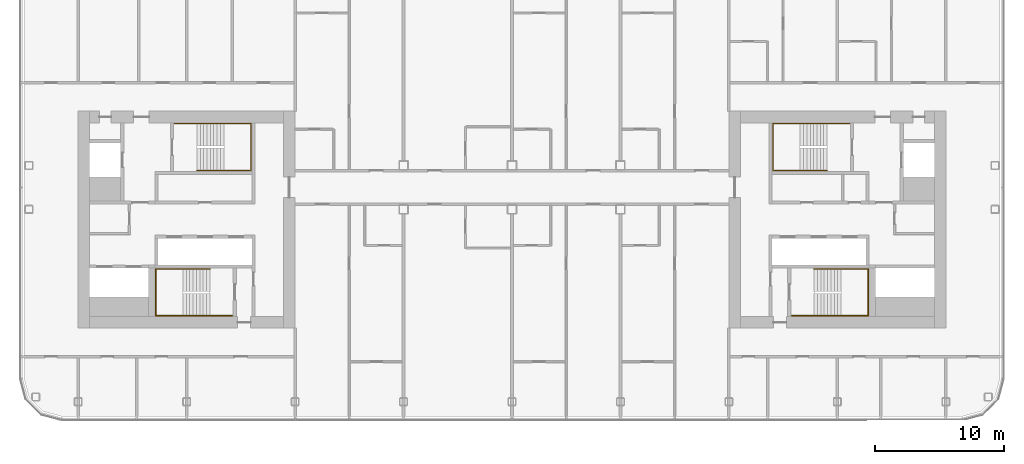
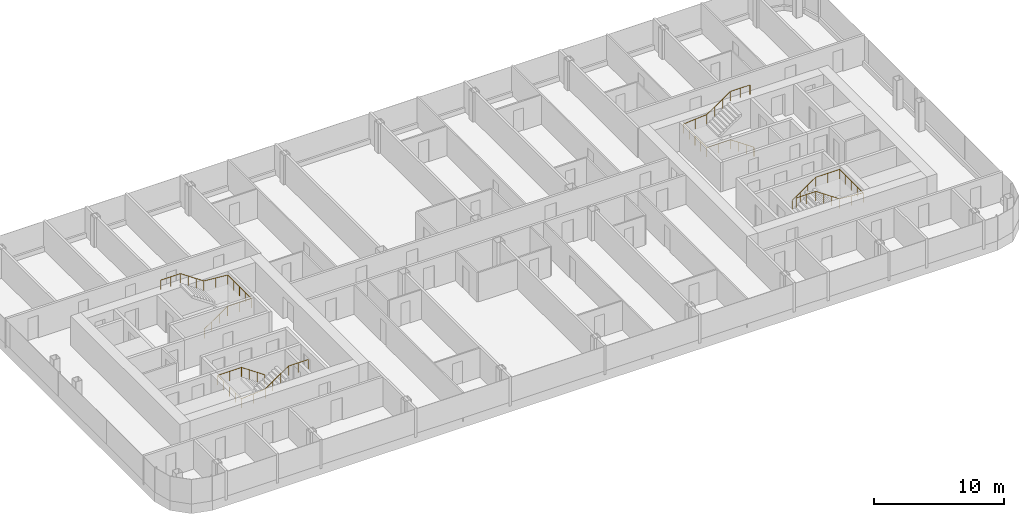
# One storey, part 26 of 26: 4 railings.
"""IFC4 building model written with IfcOpenShell, lengths in metres."""

from ifc_helpers import new_model, si_unit, direction, frame, origin, origin_2d, place, context, subcontext, project, spatial, circle, extrude, material, type_object, element, save


model = new_model("IFC4")

# Units and contexts
model_context = context("Model", 3, precision=1e-05, world=origin(), true_north=direction((0.0, 1.0)))
body_context = subcontext(model_context, "Body", "Model", "MODEL_VIEW")
ifc_project = project(units=[si_unit("LENGTHUNIT", "METRE"), si_unit("AREAUNIT", "SQUARE_METRE"), si_unit("VOLUMEUNIT", "CUBIC_METRE"), si_unit("PLANEANGLEUNIT", "RADIAN"), si_unit("MASSUNIT", "GRAM", prefix="KILO")], contexts=[model_context])

# Site, building, storey
site_placement = place(None, origin())
site = spatial("IfcSite", under=ifc_project, at=site_placement, CompositionType="ELEMENT")
building_placement = place(site_placement, origin())
building = spatial("IfcBuilding", under=site, at=building_placement, Name="Hakoniwa Tower and Hamabe Station Hall", CompositionType="ELEMENT")
storey_placement = place(building_placement, frame((0.0, 0.0, 199.39990234375)))
storey = spatial("IfcBuildingStorey", under=building, at=storey_placement, Name="L56", CompositionType="ELEMENT", Elevation=199.39990234375)

# Railings
ifc_material = material(Name="Stainless steel SUS304", Category="steel")
railing_type = type_object("IfcRailingType", Name="STAIR HANDRAIL 900", PredefinedType="HANDRAIL", material=ifc_material)
railing_1_placement = place(storey_placement, frame((-24.39990234375, 3.81005859375, 0.177978515625)))
element("IfcRailing", 1, at=railing_1_placement, inside=storey, type_object=railing_type, Name="Handrail ST-1 L56 1", PredefinedType="HANDRAIL", context=body_context, shape_type="SweptSolid", body=[
    extrude(circle(Radius=0.02392578125, at=origin_2d()), frame((0.0, 0.0, 0.8759765625), z_axis=(0.825478349766, 0.0, 0.564433781827), x_axis=(0.0, 1.0, 0.0)), (0.0, 0.0, 1.0), 2.51953125),
    extrude(circle(Radius=0.02392578125, at=origin_2d()), frame((2.079833984375, 0.0, 2.2978515625), z_axis=(1.0, 0.0, 0.0), x_axis=(0.0, 1.0, 0.0)), (0.0, 0.0, 1.0), 2.110107421875),
    extrude(circle(Radius=0.02392578125, at=origin_2d()), frame((4.18994140625, 0.0, 2.2978515625), z_axis=(0.0, 1.0, 0.0), x_axis=(-1.0, 0.0, 0.0)), (0.0, 0.0, 1.0), 3.6298828125),
    extrude(circle(Radius=0.02392578125, at=origin_2d()), frame((4.18994140625, 3.6298828125, 2.2978515625), z_axis=(-0.996471417081, 0.0, 0.083932800143), x_axis=(0.0, -1.0, 0.0)), (0.0, 0.0, 1.0), 2.11767578125),
    extrude(circle(Radius=0.02392578125, at=origin_2d()), frame((2.079833984375, 3.6298828125, 2.4755859375), z_axis=(-0.825433201882, 0.0, 0.564499804456), x_axis=(0.0, -1.0, 0.0)), (0.0, 0.0, 1.0), 2.519775390625),
    extrude(circle(Radius=0.02392578125, at=origin_2d()), frame((0.0, 3.6298828125, 3.89794921875), z_axis=(-1.0, 0.0, 0.0), x_axis=(0.0, -1.0, 0.0)), (0.0, 0.0, 1.0), 1.739990234375),
    extrude(circle(Radius=0.02099609375, at=origin_2d()), origin(), (0.0, 0.0, 1.0), 0.851806640625),
    extrude(circle(Radius=0.02099609375, at=origin_2d()), frame((0.693359375, 0.0, 0.47412109375)), (0.0, 0.0, 1.0), 0.851806640625),
    extrude(circle(Radius=0.02099609375, at=origin_2d()), frame((1.386474609375, 0.0, 0.947998046875)), (0.0, 0.0, 1.0), 0.851806640625),
    extrude(circle(Radius=0.02099609375, at=origin_2d()), frame((2.079833984375, 0.0, 1.422119140625)), (0.0, 0.0, 1.0), 0.851806640625),
    extrude(circle(Radius=0.02099609375, at=origin_2d()), frame((3.134765625, 0.0, 1.422119140625)), (0.0, 0.0, 1.0), 0.851806640625),
    extrude(circle(Radius=0.02099609375, at=origin_2d()), frame((4.18994140625, 0.0, 1.422119140625)), (0.0, 0.0, 1.0), 0.851806640625),
    extrude(circle(Radius=0.02099609375, at=origin_2d()), frame((4.18994140625, 0.907470703125, 1.422119140625)), (0.0, 0.0, 1.0), 0.851806640625),
    extrude(circle(Radius=0.02099609375, at=origin_2d()), frame((4.18994140625, 1.81494140625, 1.422119140625)), (0.0, 0.0, 1.0), 0.851806640625),
    extrude(circle(Radius=0.02099609375, at=origin_2d()), frame((4.18994140625, 2.722412109375, 1.422119140625)), (0.0, 0.0, 1.0), 0.851806640625),
    extrude(circle(Radius=0.02099609375, at=origin_2d()), frame((4.18994140625, 3.6298828125, 1.422119140625)), (0.0, 0.0, 1.0), 0.851806640625),
    extrude(circle(Radius=0.02099609375, at=origin_2d()), frame((3.134765625, 3.6298828125, 1.510986328125)), (0.0, 0.0, 1.0), 0.851806640625),
    extrude(circle(Radius=0.02099609375, at=origin_2d()), frame((2.079833984375, 3.6298828125, 1.599853515625)), (0.0, 0.0, 1.0), 0.851806640625),
    extrude(circle(Radius=0.02099609375, at=origin_2d()), frame((1.386474609375, 3.6298828125, 2.073974609375)), (0.0, 0.0, 1.0), 0.851806640625),
    extrude(circle(Radius=0.02099609375, at=origin_2d()), frame((0.693359375, 3.6298828125, 2.548095703125)), (0.0, 0.0, 1.0), 0.851806640625),
    extrude(circle(Radius=0.02099609375, at=origin_2d()), frame((0.0, 3.6298828125, 3.022216796875)), (0.0, 0.0, 1.0), 0.851806640625),
    extrude(circle(Radius=0.02099609375, at=origin_2d()), frame((-0.8701171875, 3.6298828125, 3.022216796875)), (0.0, 0.0, 1.0), 0.851806640625),
    extrude(circle(Radius=0.02099609375, at=origin_2d()), frame((-1.739990234375, 3.6298828125, 3.022216796875)), (0.0, 0.0, 1.0), 0.851806640625),
])
railing_2_placement = place(storey_placement, frame((-23.39990234375, -3.81005859375, 0.177978515625)))
element("IfcRailing", 2, at=railing_2_placement, inside=storey, type_object=railing_type, Name="Handrail ST-2 L56 1", PredefinedType="HANDRAIL", context=body_context, shape_type="SweptSolid", body=[
    extrude(circle(Radius=0.02392578125, at=origin_2d()), frame((0.0, 0.0, 0.8759765625), z_axis=(-0.82550921652, 0.0, 0.564388636881), x_axis=(0.0, -1.0, 0.0)), (0.0, 0.0, 1.0), 2.519775390625),
    extrude(circle(Radius=0.02392578125, at=origin_2d()), frame((-2.080078125, 0.0, 2.2978515625), z_axis=(-1.0, 0.0, 0.0), x_axis=(0.0, -1.0, 0.0)), (0.0, 0.0, 1.0), 2.110107421875),
    extrude(circle(Radius=0.02392578125, at=origin_2d()), frame((-4.190185546875, 0.0, 2.2978515625), z_axis=(0.0, -1.0, 0.0), x_axis=(1.0, 0.0, 0.0)), (0.0, 0.0, 1.0), 3.6298828125),
    extrude(circle(Radius=0.02392578125, at=origin_2d()), frame((-4.190185546875, -3.6298828125, 2.2978515625), z_axis=(0.996471417081, 0.0, 0.083932800143), x_axis=(0.0, 1.0, 0.0)), (0.0, 0.0, 1.0), 2.11767578125),
    extrude(circle(Radius=0.02392578125, at=origin_2d()), frame((-2.080078125, -3.6298828125, 2.4755859375), z_axis=(0.825464074169, 0.0, 0.564454659168), x_axis=(0.0, 1.0, 0.0)), (0.0, 0.0, 1.0), 2.519775390625),
    extrude(circle(Radius=0.02392578125, at=origin_2d()), frame((0.0, -3.6298828125, 3.89794921875), z_axis=(1.0, 0.0, 0.0), x_axis=(0.0, 1.0, 0.0)), (0.0, 0.0, 1.0), 1.739990234375),
    extrude(circle(Radius=0.02099609375, at=origin_2d()), origin(), (0.0, 0.0, 1.0), 0.851806640625),
    extrude(circle(Radius=0.02099609375, at=origin_2d()), frame((-0.693359375, 0.0, 0.47412109375)), (0.0, 0.0, 1.0), 0.851806640625),
    extrude(circle(Radius=0.02099609375, at=origin_2d()), frame((-1.38671875, 0.0, 0.947998046875)), (0.0, 0.0, 1.0), 0.851806640625),
    extrude(circle(Radius=0.02099609375, at=origin_2d()), frame((-2.080078125, 0.0, 1.422119140625)), (0.0, 0.0, 1.0), 0.851806640625),
    extrude(circle(Radius=0.02099609375, at=origin_2d()), frame((-3.13525390625, 0.0, 1.422119140625)), (0.0, 0.0, 1.0), 0.851806640625),
    extrude(circle(Radius=0.02099609375, at=origin_2d()), frame((-4.190185546875, 0.0, 1.422119140625)), (0.0, 0.0, 1.0), 0.851806640625),
    extrude(circle(Radius=0.02099609375, at=origin_2d()), frame((-4.190185546875, -0.907470703125, 1.422119140625)), (0.0, 0.0, 1.0), 0.851806640625),
    extrude(circle(Radius=0.02099609375, at=origin_2d()), frame((-4.190185546875, -1.81494140625, 1.422119140625)), (0.0, 0.0, 1.0), 0.851806640625),
    extrude(circle(Radius=0.02099609375, at=origin_2d()), frame((-4.190185546875, -2.722412109375, 1.422119140625)), (0.0, 0.0, 1.0), 0.851806640625),
    extrude(circle(Radius=0.02099609375, at=origin_2d()), frame((-4.190185546875, -3.6298828125, 1.422119140625)), (0.0, 0.0, 1.0), 0.851806640625),
    extrude(circle(Radius=0.02099609375, at=origin_2d()), frame((-3.13525390625, -3.6298828125, 1.510986328125)), (0.0, 0.0, 1.0), 0.851806640625),
    extrude(circle(Radius=0.02099609375, at=origin_2d()), frame((-2.080078125, -3.6298828125, 1.599853515625)), (0.0, 0.0, 1.0), 0.851806640625),
    extrude(circle(Radius=0.02099609375, at=origin_2d()), frame((-1.38671875, -3.6298828125, 2.073974609375)), (0.0, 0.0, 1.0), 0.851806640625),
    extrude(circle(Radius=0.02099609375, at=origin_2d()), frame((-0.693359375, -3.6298828125, 2.548095703125)), (0.0, 0.0, 1.0), 0.851806640625),
    extrude(circle(Radius=0.02099609375, at=origin_2d()), frame((0.0, -3.6298828125, 3.022216796875)), (0.0, 0.0, 1.0), 0.851806640625),
    extrude(circle(Radius=0.02099609375, at=origin_2d()), frame((0.8701171875, -3.6298828125, 3.022216796875)), (0.0, 0.0, 1.0), 0.851806640625),
    extrude(circle(Radius=0.02099609375, at=origin_2d()), frame((1.739990234375, -3.6298828125, 3.022216796875)), (0.0, 0.0, 1.0), 0.851806640625),
])
railing_3_placement = place(storey_placement, frame((24.39990234375, 3.81005859375, 0.177978515625)))
element("IfcRailing", 3, at=railing_3_placement, inside=storey, type_object=railing_type, Name="Handrail ST-3 L56 1", PredefinedType="HANDRAIL", context=body_context, shape_type="SweptSolid", body=[
    extrude(circle(Radius=0.02392578125, at=origin_2d()), frame((0.0, 0.0, 0.8759765625), z_axis=(-0.825478349766, 0.0, 0.564433781827), x_axis=(0.0, -1.0, 0.0)), (0.0, 0.0, 1.0), 2.51953125),
    extrude(circle(Radius=0.02392578125, at=origin_2d()), frame((-2.079833984375, 0.0, 2.2978515625), z_axis=(-1.0, 0.0, 0.0), x_axis=(0.0, -1.0, 0.0)), (0.0, 0.0, 1.0), 2.110107421875),
    extrude(circle(Radius=0.02392578125, at=origin_2d()), frame((-4.18994140625, 0.0, 2.2978515625), z_axis=(0.0, 1.0, 0.0), x_axis=(-1.0, 0.0, 0.0)), (0.0, 0.0, 1.0), 3.6298828125),
    extrude(circle(Radius=0.02392578125, at=origin_2d()), frame((-4.18994140625, 3.6298828125, 2.2978515625), z_axis=(0.996471417081, 0.0, 0.083932800143), x_axis=(0.0, 1.0, 0.0)), (0.0, 0.0, 1.0), 2.11767578125),
    extrude(circle(Radius=0.02392578125, at=origin_2d()), frame((-2.079833984375, 3.6298828125, 2.4755859375), z_axis=(0.825433201882, 0.0, 0.564499804456), x_axis=(0.0, 1.0, 0.0)), (0.0, 0.0, 1.0), 2.519775390625),
    extrude(circle(Radius=0.02392578125, at=origin_2d()), frame((0.0, 3.6298828125, 3.89794921875), z_axis=(1.0, 0.0, 0.0), x_axis=(0.0, 1.0, 0.0)), (0.0, 0.0, 1.0), 1.739990234375),
    extrude(circle(Radius=0.02099609375, at=origin_2d()), origin(), (0.0, 0.0, 1.0), 0.851806640625),
    extrude(circle(Radius=0.02099609375, at=origin_2d()), frame((-0.693359375, 0.0, 0.47412109375)), (0.0, 0.0, 1.0), 0.851806640625),
    extrude(circle(Radius=0.02099609375, at=origin_2d()), frame((-1.386474609375, 0.0, 0.947998046875)), (0.0, 0.0, 1.0), 0.851806640625),
    extrude(circle(Radius=0.02099609375, at=origin_2d()), frame((-2.079833984375, 0.0, 1.422119140625)), (0.0, 0.0, 1.0), 0.851806640625),
    extrude(circle(Radius=0.02099609375, at=origin_2d()), frame((-3.134765625, 0.0, 1.422119140625)), (0.0, 0.0, 1.0), 0.851806640625),
    extrude(circle(Radius=0.02099609375, at=origin_2d()), frame((-4.18994140625, 0.0, 1.422119140625)), (0.0, 0.0, 1.0), 0.851806640625),
    extrude(circle(Radius=0.02099609375, at=origin_2d()), frame((-4.18994140625, 0.907470703125, 1.422119140625)), (0.0, 0.0, 1.0), 0.851806640625),
    extrude(circle(Radius=0.02099609375, at=origin_2d()), frame((-4.18994140625, 1.81494140625, 1.422119140625)), (0.0, 0.0, 1.0), 0.851806640625),
    extrude(circle(Radius=0.02099609375, at=origin_2d()), frame((-4.18994140625, 2.722412109375, 1.422119140625)), (0.0, 0.0, 1.0), 0.851806640625),
    extrude(circle(Radius=0.02099609375, at=origin_2d()), frame((-4.18994140625, 3.6298828125, 1.422119140625)), (0.0, 0.0, 1.0), 0.851806640625),
    extrude(circle(Radius=0.02099609375, at=origin_2d()), frame((-3.134765625, 3.6298828125, 1.510986328125)), (0.0, 0.0, 1.0), 0.851806640625),
    extrude(circle(Radius=0.02099609375, at=origin_2d()), frame((-2.079833984375, 3.6298828125, 1.599853515625)), (0.0, 0.0, 1.0), 0.851806640625),
    extrude(circle(Radius=0.02099609375, at=origin_2d()), frame((-1.386474609375, 3.6298828125, 2.073974609375)), (0.0, 0.0, 1.0), 0.851806640625),
    extrude(circle(Radius=0.02099609375, at=origin_2d()), frame((-0.693359375, 3.6298828125, 2.548095703125)), (0.0, 0.0, 1.0), 0.851806640625),
    extrude(circle(Radius=0.02099609375, at=origin_2d()), frame((0.0, 3.6298828125, 3.022216796875)), (0.0, 0.0, 1.0), 0.851806640625),
    extrude(circle(Radius=0.02099609375, at=origin_2d()), frame((0.8701171875, 3.6298828125, 3.022216796875)), (0.0, 0.0, 1.0), 0.851806640625),
    extrude(circle(Radius=0.02099609375, at=origin_2d()), frame((1.739990234375, 3.6298828125, 3.022216796875)), (0.0, 0.0, 1.0), 0.851806640625),
])
railing_4_placement = place(storey_placement, frame((23.39990234375, -3.81005859375, 0.177978515625)))
element("IfcRailing", 4, at=railing_4_placement, inside=storey, type_object=railing_type, Name="Handrail ST-4 L56 1", PredefinedType="HANDRAIL", context=body_context, shape_type="SweptSolid", body=[
    extrude(circle(Radius=0.02392578125, at=origin_2d()), frame((0.0, 0.0, 0.8759765625), z_axis=(0.82550921652, 0.0, 0.564388636881), x_axis=(0.0, 1.0, 0.0)), (0.0, 0.0, 1.0), 2.519775390625),
    extrude(circle(Radius=0.02392578125, at=origin_2d()), frame((2.080078125, 0.0, 2.2978515625), z_axis=(1.0, 0.0, 0.0), x_axis=(0.0, 1.0, 0.0)), (0.0, 0.0, 1.0), 2.110107421875),
    extrude(circle(Radius=0.02392578125, at=origin_2d()), frame((4.190185546875, 0.0, 2.2978515625), z_axis=(0.0, -1.0, 0.0), x_axis=(1.0, 0.0, 0.0)), (0.0, 0.0, 1.0), 3.6298828125),
    extrude(circle(Radius=0.02392578125, at=origin_2d()), frame((4.190185546875, -3.6298828125, 2.2978515625), z_axis=(-0.996471417081, 0.0, 0.083932800143), x_axis=(0.0, -1.0, 0.0)), (0.0, 0.0, 1.0), 2.11767578125),
    extrude(circle(Radius=0.02392578125, at=origin_2d()), frame((2.080078125, -3.6298828125, 2.4755859375), z_axis=(-0.825464074169, 0.0, 0.564454659168), x_axis=(0.0, -1.0, 0.0)), (0.0, 0.0, 1.0), 2.519775390625),
    extrude(circle(Radius=0.02392578125, at=origin_2d()), frame((0.0, -3.6298828125, 3.89794921875), z_axis=(-1.0, 0.0, 0.0), x_axis=(0.0, -1.0, 0.0)), (0.0, 0.0, 1.0), 1.739990234375),
    extrude(circle(Radius=0.02099609375, at=origin_2d()), origin(), (0.0, 0.0, 1.0), 0.851806640625),
    extrude(circle(Radius=0.02099609375, at=origin_2d()), frame((0.693359375, 0.0, 0.47412109375)), (0.0, 0.0, 1.0), 0.851806640625),
    extrude(circle(Radius=0.02099609375, at=origin_2d()), frame((1.38671875, 0.0, 0.947998046875)), (0.0, 0.0, 1.0), 0.851806640625),
    extrude(circle(Radius=0.02099609375, at=origin_2d()), frame((2.080078125, 0.0, 1.422119140625)), (0.0, 0.0, 1.0), 0.851806640625),
    extrude(circle(Radius=0.02099609375, at=origin_2d()), frame((3.13525390625, 0.0, 1.422119140625)), (0.0, 0.0, 1.0), 0.851806640625),
    extrude(circle(Radius=0.02099609375, at=origin_2d()), frame((4.190185546875, 0.0, 1.422119140625)), (0.0, 0.0, 1.0), 0.851806640625),
    extrude(circle(Radius=0.02099609375, at=origin_2d()), frame((4.190185546875, -0.907470703125, 1.422119140625)), (0.0, 0.0, 1.0), 0.851806640625),
    extrude(circle(Radius=0.02099609375, at=origin_2d()), frame((4.190185546875, -1.81494140625, 1.422119140625)), (0.0, 0.0, 1.0), 0.851806640625),
    extrude(circle(Radius=0.02099609375, at=origin_2d()), frame((4.190185546875, -2.722412109375, 1.422119140625)), (0.0, 0.0, 1.0), 0.851806640625),
    extrude(circle(Radius=0.02099609375, at=origin_2d()), frame((4.190185546875, -3.6298828125, 1.422119140625)), (0.0, 0.0, 1.0), 0.851806640625),
    extrude(circle(Radius=0.02099609375, at=origin_2d()), frame((3.13525390625, -3.6298828125, 1.510986328125)), (0.0, 0.0, 1.0), 0.851806640625),
    extrude(circle(Radius=0.02099609375, at=origin_2d()), frame((2.080078125, -3.6298828125, 1.599853515625)), (0.0, 0.0, 1.0), 0.851806640625),
    extrude(circle(Radius=0.02099609375, at=origin_2d()), frame((1.38671875, -3.6298828125, 2.073974609375)), (0.0, 0.0, 1.0), 0.851806640625),
    extrude(circle(Radius=0.02099609375, at=origin_2d()), frame((0.693359375, -3.6298828125, 2.548095703125)), (0.0, 0.0, 1.0), 0.851806640625),
    extrude(circle(Radius=0.02099609375, at=origin_2d()), frame((0.0, -3.6298828125, 3.022216796875)), (0.0, 0.0, 1.0), 0.851806640625),
    extrude(circle(Radius=0.02099609375, at=origin_2d()), frame((-0.8701171875, -3.6298828125, 3.022216796875)), (0.0, 0.0, 1.0), 0.851806640625),
    extrude(circle(Radius=0.02099609375, at=origin_2d()), frame((-1.739990234375, -3.6298828125, 3.022216796875)), (0.0, 0.0, 1.0), 0.851806640625),
])

save(model, "model.ifc")
